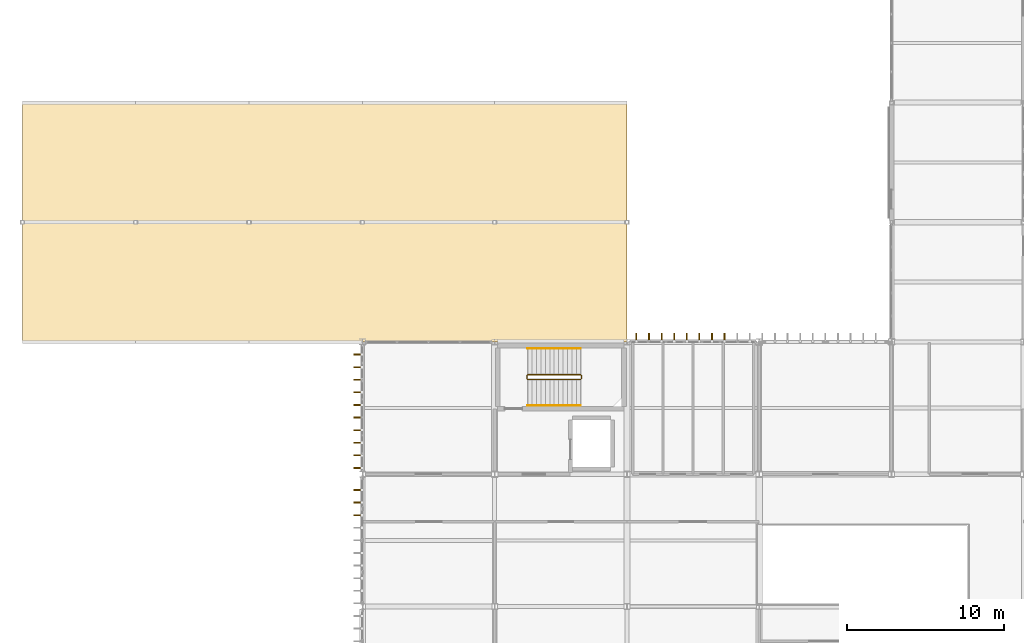
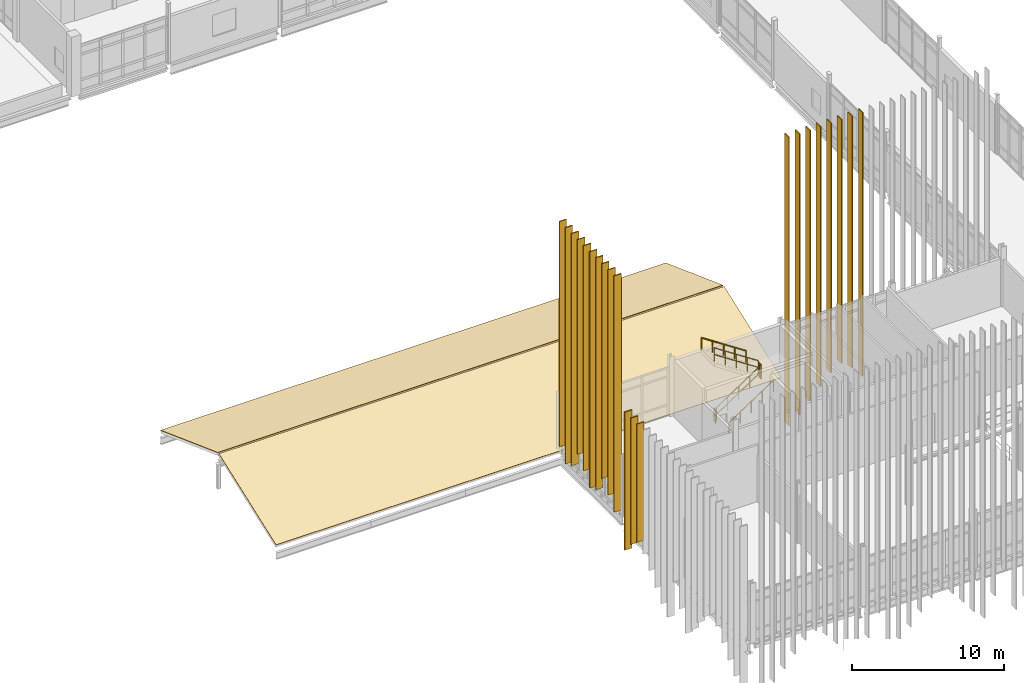
# One storey, part 139 of 153: 23 coverings, 6 railings, 2 elements without a shape of their own.
"""IFC4 building model written with IfcOpenShell, lengths in metres."""

from ifc_helpers import new_model, si_unit, direction, frame, origin, origin_2d, place, context, subcontext, project, spatial, polyline, rectangle, circle, outline, extrude, material, layer, layer_set, type_object, element, aggregate, save


model = new_model("IFC4")

# Units and contexts
model_context = context("Model", 3, precision=1e-05, world=origin(), true_north=direction((0.0, 1.0)))
body_context = subcontext(model_context, "Body", "Model", "MODEL_VIEW")
ifc_project = project(units=[si_unit("LENGTHUNIT", "METRE"), si_unit("AREAUNIT", "SQUARE_METRE"), si_unit("VOLUMEUNIT", "CUBIC_METRE"), si_unit("PLANEANGLEUNIT", "RADIAN"), si_unit("MASSUNIT", "GRAM", prefix="KILO")], contexts=[model_context])

# Site, building, storey
site_placement = place(None, origin())
site = spatial("IfcSite", under=ifc_project, at=site_placement, CompositionType="ELEMENT")
building_placement = place(site_placement, origin())
building = spatial("IfcBuilding", under=site, at=building_placement, Name="Calvrana Isthmian Art Gallery", CompositionType="ELEMENT")
storey_placement = place(building_placement, frame((0.0, 0.0, 10.199951171875)))
storey = spatial("IfcBuildingStorey", under=building, at=storey_placement, Name="L02", CompositionType="ELEMENT", Elevation=10.199951171875)

# Coverings
ifc_material_1 = material(Name="Anodized bronze aluminium 6063-T6", Category="aluminium")
ifc_layer_1 = layer(ifc_material_1, 0.074951171875, Name="Anodized bronze aluminium 6063-T6")
ifc_layer_set_1 = layer_set([ifc_layer_1], Name="Anodized bronze aluminium 6063-T6")
covering_type_1 = type_object("IfcCoveringType", Name="COV-FIN-550", PredefinedType="CLADDING", material=ifc_layer_set_1)
covering_1_placement = place(storey_placement, frame((39.0, 47.072998046875, -4.0498046875), z_axis=(0.0, 0.0, 1.0), x_axis=(1.0, 0.0, 0.0)))
element("IfcCovering", 1, at=covering_1_placement, inside=storey, type_object=covering_type_1, Name="Anodized bronze vertical solar fin FN-073", PredefinedType="CLADDING", context=body_context, shape_type="SweptSolid", body=[
    extrude(rectangle(XDim=0.074951171875, YDim=0.550048828125, at=origin_2d()), origin(), (0.0, 0.0, 1.0), 23.199951171875),
])
covering_2_placement = place(storey_placement, frame((39.800048828125, 47.072998046875, -3.449951171875), z_axis=(0.0, 0.0, 1.0), x_axis=(1.0, 0.0, 0.0)))
element("IfcCovering", 2, at=covering_2_placement, inside=storey, type_object=covering_type_1, Name="Anodized bronze vertical solar fin FN-074", PredefinedType="CLADDING", context=body_context, shape_type="SweptSolid", body=[
    extrude(rectangle(XDim=0.074951171875, YDim=0.550048828125, at=origin_2d()), origin(), (0.0, 0.0, 1.0), 22.60009765625),
])
covering_3_placement = place(storey_placement, frame((40.60009765625, 47.072998046875, -2.64990234375), z_axis=(0.0, 0.0, 1.0), x_axis=(1.0, 0.0, 0.0)))
element("IfcCovering", 3, at=covering_3_placement, inside=storey, type_object=covering_type_1, Name="Anodized bronze vertical solar fin FN-075", PredefinedType="CLADDING", context=body_context, shape_type="SweptSolid", body=[
    extrude(rectangle(XDim=0.074951171875, YDim=0.550048828125, at=origin_2d()), origin(), (0.0, 0.0, 1.0), 21.800048828125),
])
covering_4_placement = place(storey_placement, frame((41.39990234375, 47.072998046875, -1.75), z_axis=(0.0, 0.0, 1.0), x_axis=(1.0, 0.0, 0.0)))
element("IfcCovering", 4, at=covering_4_placement, inside=storey, type_object=covering_type_1, Name="Anodized bronze vertical solar fin FN-076", PredefinedType="CLADDING", context=body_context, shape_type="SweptSolid", body=[
    extrude(rectangle(XDim=0.074951171875, YDim=0.550048828125, at=origin_2d()), origin(), (0.0, 0.0, 1.0), 20.89990234375),
])
covering_5_placement = place(storey_placement, frame((42.199951171875, 47.072998046875, -0.89990234375), z_axis=(0.0, 0.0, 1.0), x_axis=(1.0, 0.0, 0.0)))
element("IfcCovering", 5, at=covering_5_placement, inside=storey, type_object=covering_type_1, Name="Anodized bronze vertical solar fin FN-077", PredefinedType="CLADDING", context=body_context, shape_type="SweptSolid", body=[
    extrude(rectangle(XDim=0.074951171875, YDim=0.550048828125, at=origin_2d()), origin(), (0.0, 0.0, 1.0), 20.050048828125),
])
covering_6_placement = place(storey_placement, frame((43.0, 47.072998046875, -0.449951171875), z_axis=(0.0, 0.0, 1.0), x_axis=(1.0, 0.0, 0.0)))
element("IfcCovering", 6, at=covering_6_placement, inside=storey, type_object=covering_type_1, Name="Anodized bronze vertical solar fin FN-078", PredefinedType="CLADDING", context=body_context, shape_type="SweptSolid", body=[
    extrude(rectangle(XDim=0.074951171875, YDim=0.550048828125, at=origin_2d()), origin(), (0.0, 0.0, 1.0), 19.60009765625),
])
covering_7_placement = place(storey_placement, frame((43.800048828125, 47.072998046875, -1.099853515625), z_axis=(0.0, 0.0, 1.0), x_axis=(1.0, 0.0, 0.0)))
element("IfcCovering", 7, at=covering_7_placement, inside=storey, type_object=covering_type_1, Name="Anodized bronze vertical solar fin FN-079", PredefinedType="CLADDING", context=body_context, shape_type="SweptSolid", body=[
    extrude(rectangle(XDim=0.074951171875, YDim=0.550048828125, at=origin_2d()), origin(), (0.0, 0.0, 1.0), 20.25),
])
covering_8_placement = place(storey_placement, frame((44.60009765625, 47.072998046875, -2.0498046875), z_axis=(0.0, 0.0, 1.0), x_axis=(1.0, 0.0, 0.0)))
element("IfcCovering", 8, at=covering_8_placement, inside=storey, type_object=covering_type_1, Name="Anodized bronze vertical solar fin FN-080", PredefinedType="CLADDING", context=body_context, shape_type="SweptSolid", body=[
    extrude(rectangle(XDim=0.074951171875, YDim=0.550048828125, at=origin_2d()), origin(), (0.0, 0.0, 1.0), 21.199951171875),
])
covering_9_placement = place(storey_placement, frame((21.326904296875, 38.800048828125, 0.150146484375), z_axis=(0.0, 0.0, 1.0), x_axis=(1.0, 0.0, 0.0)))
element("IfcCovering", 9, at=covering_9_placement, inside=storey, type_object=covering_type_1, Name="Anodized bronze vertical solar fin FN-163", PredefinedType="CLADDING", context=body_context, shape_type="SweptSolid", body=[
    extrude(rectangle(XDim=0.550048828125, YDim=0.074951171875, at=origin_2d()), origin(), (0.0, 0.0, 1.0), 19.0),
])
covering_10_placement = place(storey_placement, frame((21.326904296875, 39.60009765625, 1.050048828125), z_axis=(0.0, 0.0, 1.0), x_axis=(1.0, 0.0, 0.0)))
element("IfcCovering", 10, at=covering_10_placement, inside=storey, type_object=covering_type_1, Name="Anodized bronze vertical solar fin FN-164", PredefinedType="CLADDING", context=body_context, shape_type="SweptSolid", body=[
    extrude(rectangle(XDim=0.550048828125, YDim=0.074951171875, at=origin_2d()), origin(), (0.0, 0.0, 1.0), 18.10009765625),
])
covering_11_placement = place(storey_placement, frame((21.326904296875, 40.39990234375, 1.900146484375), z_axis=(0.0, 0.0, 1.0), x_axis=(1.0, 0.0, 0.0)))
element("IfcCovering", 11, at=covering_11_placement, inside=storey, type_object=covering_type_1, Name="Anodized bronze vertical solar fin FN-165", PredefinedType="CLADDING", context=body_context, shape_type="SweptSolid", body=[
    extrude(rectangle(XDim=0.550048828125, YDim=0.074951171875, at=origin_2d()), origin(), (0.0, 0.0, 1.0), 17.25),
])
covering_12_placement = place(storey_placement, frame((21.326904296875, 41.199951171875, 0.5), z_axis=(0.0, 0.0, 1.0), x_axis=(1.0, 0.0, 0.0)))
element("IfcCovering", 12, at=covering_12_placement, inside=storey, type_object=covering_type_1, Name="Anodized bronze vertical solar fin FN-166", PredefinedType="CLADDING", context=body_context, shape_type="SweptSolid", body=[
    extrude(rectangle(XDim=0.550048828125, YDim=0.074951171875, at=origin_2d()), origin(), (0.0, 0.0, 1.0), 18.64990234375),
])
covering_13_placement = place(storey_placement, frame((21.326904296875, 42.0, 0.150146484375), z_axis=(0.0, 0.0, 1.0), x_axis=(1.0, 0.0, 0.0)))
element("IfcCovering", 13, at=covering_13_placement, inside=storey, type_object=covering_type_1, Name="Anodized bronze vertical solar fin FN-167", PredefinedType="CLADDING", context=body_context, shape_type="SweptSolid", body=[
    extrude(rectangle(XDim=0.550048828125, YDim=0.074951171875, at=origin_2d()), origin(), (0.0, 0.0, 1.0), 19.0),
])
covering_14_placement = place(storey_placement, frame((21.326904296875, 42.800048828125, 1.050048828125), z_axis=(0.0, 0.0, 1.0), x_axis=(1.0, 0.0, 0.0)))
element("IfcCovering", 14, at=covering_14_placement, inside=storey, type_object=covering_type_1, Name="Anodized bronze vertical solar fin FN-168", PredefinedType="CLADDING", context=body_context, shape_type="SweptSolid", body=[
    extrude(rectangle(XDim=0.550048828125, YDim=0.074951171875, at=origin_2d()), origin(), (0.0, 0.0, 1.0), 18.10009765625),
])
covering_15_placement = place(storey_placement, frame((21.326904296875, 43.60009765625, 1.900146484375), z_axis=(0.0, 0.0, 1.0), x_axis=(1.0, 0.0, 0.0)))
element("IfcCovering", 15, at=covering_15_placement, inside=storey, type_object=covering_type_1, Name="Anodized bronze vertical solar fin FN-169", PredefinedType="CLADDING", context=body_context, shape_type="SweptSolid", body=[
    extrude(rectangle(XDim=0.550048828125, YDim=0.074951171875, at=origin_2d()), origin(), (0.0, 0.0, 1.0), 17.25),
])
covering_16_placement = place(storey_placement, frame((21.326904296875, 44.39990234375, 0.5), z_axis=(0.0, 0.0, 1.0), x_axis=(1.0, 0.0, 0.0)))
element("IfcCovering", 16, at=covering_16_placement, inside=storey, type_object=covering_type_1, Name="Anodized bronze vertical solar fin FN-170", PredefinedType="CLADDING", context=body_context, shape_type="SweptSolid", body=[
    extrude(rectangle(XDim=0.550048828125, YDim=0.074951171875, at=origin_2d()), origin(), (0.0, 0.0, 1.0), 18.64990234375),
])
covering_17_placement = place(storey_placement, frame((21.326904296875, 45.199951171875, 0.150146484375), z_axis=(0.0, 0.0, 1.0), x_axis=(1.0, 0.0, 0.0)))
element("IfcCovering", 17, at=covering_17_placement, inside=storey, type_object=covering_type_1, Name="Anodized bronze vertical solar fin FN-171", PredefinedType="CLADDING", context=body_context, shape_type="SweptSolid", body=[
    extrude(rectangle(XDim=0.550048828125, YDim=0.074951171875, at=origin_2d()), origin(), (0.0, 0.0, 1.0), 19.0),
])
covering_18_placement = place(storey_placement, frame((21.326904296875, 46.0, 1.050048828125), z_axis=(0.0, 0.0, 1.0), x_axis=(1.0, 0.0, 0.0)))
element("IfcCovering", 18, at=covering_18_placement, inside=storey, type_object=covering_type_1, Name="Anodized bronze vertical solar fin FN-172", PredefinedType="CLADDING", context=body_context, shape_type="SweptSolid", body=[
    extrude(rectangle(XDim=0.550048828125, YDim=0.074951171875, at=origin_2d()), origin(), (0.0, 0.0, 1.0), 18.10009765625),
])
covering_19_placement = place(storey_placement, frame((21.326904296875, 35.800048828125, -0.449951171875), z_axis=(0.0, 0.0, 1.0), x_axis=(1.0, 0.0, 0.0)))
element("IfcCovering", 19, at=covering_19_placement, inside=storey, type_object=covering_type_1, Name="Anodized bronze vertical solar fin FN-190", PredefinedType="CLADDING", context=body_context, shape_type="SweptSolid", body=[
    extrude(rectangle(XDim=0.550048828125, YDim=0.074951171875, at=origin_2d()), origin(), (0.0, 0.0, 1.0), 9.5),
])
covering_20_placement = place(storey_placement, frame((21.326904296875, 36.60009765625, -1.099853515625), z_axis=(0.0, 0.0, 1.0), x_axis=(1.0, 0.0, 0.0)))
element("IfcCovering", 20, at=covering_20_placement, inside=storey, type_object=covering_type_1, Name="Anodized bronze vertical solar fin FN-191", PredefinedType="CLADDING", context=body_context, shape_type="SweptSolid", body=[
    extrude(rectangle(XDim=0.550048828125, YDim=0.074951171875, at=origin_2d()), origin(), (0.0, 0.0, 1.0), 10.14990234375),
])
covering_21_placement = place(storey_placement, frame((21.326904296875, 37.39990234375, -2.050048828125), z_axis=(0.0, 0.0, 1.0), x_axis=(1.0, 0.0, 0.0)))
element("IfcCovering", 21, at=covering_21_placement, inside=storey, type_object=covering_type_1, Name="Anodized bronze vertical solar fin FN-192", PredefinedType="CLADDING", context=body_context, shape_type="SweptSolid", body=[
    extrude(rectangle(XDim=0.550048828125, YDim=0.074951171875, at=origin_2d()), origin(), (0.0, 0.0, 1.0), 11.10009765625),
])

# Roof, covering
ifc_material_2 = material(Name="Standing-seam zinc-aluminium roofing", Category="aluminium")
ifc_layer_2 = layer(ifc_material_2, 0.199951171875, Name="Standing-seam zinc-aluminium roofing")
ifc_layer_set_2 = layer_set([ifc_layer_2], Name="Standing-seam zinc-aluminium roofing")
roof_type = type_object("IfcRoofType", Name="ROOF-ASM-GABLE", PredefinedType="GABLE_ROOF", material=ifc_layer_set_2)
roof_1_placement = place(storey_placement, origin())
roof_1 = element("IfcRoof", 22, at=roof_1_placement, inside=storey, type_object=roof_type, Name="Roof assembly SROOF_V3_S", PredefinedType="GABLE_ROOF")
ifc_layer_3 = layer(ifc_material_2, 0.0400390625, Name="Standing-seam zinc-aluminium roofing")
ifc_layer_set_3 = layer_set([ifc_layer_3], Name="Standing-seam zinc-aluminium roofing")
covering_type_2 = type_object("IfcCoveringType", Name="COV-SLROOF-ZINC", PredefinedType="ROOFING", material=ifc_layer_set_3)
covering_22_placement = place(storey_placement, frame((0.0, 46.800048828125, 0.0400390625), z_axis=(0.0, -0.345702535357, 0.938344157038), x_axis=(1.0, 0.0, 0.0)))
covering_22 = element("IfcCovering", 23, at=covering_22_placement, type_object=covering_type_2, Name="Standing-seam roof covering SROOF_V3_S", PredefinedType="ROOFING", context=body_context, shape_type="SweptSolid", body=[
    extrude(outline(polyline([(0.0, 0.0), (38.39990234375, 0.0), (38.39990234375, 8.014137962969256), (0.0, 8.014137962969256), (0.0, 0.0)])), origin(), (0.0, 0.0, -1.0), 0.0400390625),
])
aggregate(roof_1, [covering_22])

roof_2_placement = place(storey_placement, origin())
roof_2 = element("IfcRoof", 24, at=roof_2_placement, inside=storey, type_object=roof_type, Name="Roof assembly SROOF_V3_N", PredefinedType="GABLE_ROOF")
covering_23_placement = place(storey_placement, frame((0.0, 54.47998046875, 2.810546875), z_axis=(0.0, 0.345702535357, 0.938344157038), x_axis=(1.0, 0.0, 0.0)))
covering_23 = element("IfcCovering", 25, at=covering_23_placement, type_object=covering_type_2, Name="Standing-seam roof covering SROOF_V3_N", PredefinedType="ROOFING", context=body_context, shape_type="SweptSolid", body=[
    extrude(outline(polyline([(0.0, 0.0), (38.39990234375, 0.0), (38.39990234375, 8.014137962969256), (0.0, 8.014137962969256), (0.0, 0.0)])), origin(), (0.0, 0.0, -1.0), 0.0400390625),
])
aggregate(roof_2, [covering_23])

# Railings
ifc_material_3 = material(Name="Stainless steel 316", Category="steel")
railing_type_1 = type_object("IfcRailingType", Name="RL-GUARD-1120", PredefinedType="BALUSTRADE", material=ifc_material_3)
railing_1_placement = place(storey_placement, frame((32.10009765625, 44.419921875, 0.1845703125)))
element("IfcRailing", 26, at=railing_1_placement, inside=storey, type_object=railing_type_1, Name="Stair ST-1 guard L02-1", PredefinedType="BALUSTRADE", context=body_context, shape_type="SweptSolid", body=[
    extrude(circle(Radius=0.02392578125, at=origin_2d()), frame((0.0, 0.0, 1.09619140625), z_axis=(0.83483021737, 0.0, 0.550507500554), x_axis=(0.0, 1.0, 0.0)), (0.0, 0.0, 1.0), 4.024658203125),
    extrude(circle(Radius=0.02392578125, at=origin_2d()), frame((0.0, 0.0, 0.56005859375), z_axis=(0.83483021737, 0.0, 0.550507500554), x_axis=(0.0, 1.0, 0.0)), (0.0, 0.0, 1.0), 4.024658203125),
    extrude(circle(Radius=0.02099609375, at=origin_2d()), origin(), (0.0, 0.0, 1.0), 1.072021484375),
    extrude(circle(Radius=0.02099609375, at=origin_2d()), frame((0.83984375, 0.0, 0.553955078125)), (0.0, 0.0, 1.0), 1.072021484375),
    extrude(circle(Radius=0.02099609375, at=origin_2d()), frame((1.679931640625, 0.0, 1.10791015625)), (0.0, 0.0, 1.0), 1.072021484375),
    extrude(circle(Radius=0.02099609375, at=origin_2d()), frame((2.52001953125, 0.0, 1.66162109375)), (0.0, 0.0, 1.0), 1.072021484375),
    extrude(circle(Radius=0.02099609375, at=origin_2d()), frame((3.35986328125, 0.0, 2.215576171875)), (0.0, 0.0, 1.0), 1.072021484375),
])
railing_2_placement = place(storey_placement, frame((35.510009765625, 44.469970703125, 2.400146484375)))
element("IfcRailing", 27, at=railing_2_placement, inside=storey, type_object=railing_type_1, Name="Stair ST-1 guard L02-2", PredefinedType="BALUSTRADE", context=body_context, shape_type="SweptSolid", body=[
    extrude(circle(Radius=0.02392578125, at=origin_2d()), frame((0.0, 0.0, 1.09619140625), z_axis=(0.0, 1.0, 0.0), x_axis=(-1.0, 0.0, 0.0)), (0.0, 0.0, 1.0), 0.199951171875),
    extrude(circle(Radius=0.02392578125, at=origin_2d()), frame((0.0, 0.0, 0.56005859375), z_axis=(0.0, 1.0, 0.0), x_axis=(-1.0, 0.0, 0.0)), (0.0, 0.0, 1.0), 0.199951171875),
    extrude(circle(Radius=0.02099609375, at=origin_2d()), origin(), (0.0, 0.0, 1.0), 1.072021484375),
    extrude(circle(Radius=0.02099609375, at=origin_2d()), frame((0.0, 0.199951171875, 0.0)), (0.0, 0.0, 1.0), 1.072021484375),
])
railing_3_placement = place(storey_placement, frame((35.4599609375, 44.719970703125, 2.584716796875)))
element("IfcRailing", 28, at=railing_3_placement, inside=storey, type_object=railing_type_1, Name="Stair ST-1 guard L02-3", PredefinedType="BALUSTRADE", context=body_context, shape_type="SweptSolid", body=[
    extrude(circle(Radius=0.02392578125, at=origin_2d()), frame((0.0, 0.0, 1.09619140625), z_axis=(-0.834858096282, 0.0, 0.550465220583), x_axis=(0.0, -1.0, 0.0)), (0.0, 0.0, 1.0), 4.0244140625),
    extrude(circle(Radius=0.02392578125, at=origin_2d()), frame((0.0, 0.0, 0.56005859375), z_axis=(-0.834858096282, 0.0, 0.550465220583), x_axis=(0.0, -1.0, 0.0)), (0.0, 0.0, 1.0), 4.0244140625),
    extrude(circle(Radius=0.02099609375, at=origin_2d()), origin(), (0.0, 0.0, 1.0), 1.072021484375),
    extrude(circle(Radius=0.02099609375, at=origin_2d()), frame((-0.83984375, 0.0, 0.5537109375)), (0.0, 0.0, 1.0), 1.072021484375),
    extrude(circle(Radius=0.02099609375, at=origin_2d()), frame((-1.679931640625, 0.0, 1.107666015625)), (0.0, 0.0, 1.0), 1.072021484375),
    extrude(circle(Radius=0.02099609375, at=origin_2d()), frame((-2.52001953125, 0.0, 1.66162109375)), (0.0, 0.0, 1.0), 1.072021484375),
    extrude(circle(Radius=0.02099609375, at=origin_2d()), frame((-3.35986328125, 0.0, 2.21533203125)), (0.0, 0.0, 1.0), 1.072021484375),
])
railing_4_placement = place(storey_placement, frame((32.050048828125, 44.469970703125, 0.0)))
element("IfcRailing", 29, at=railing_4_placement, inside=storey, type_object=railing_type_1, Name="Stair ST-1 guard L02-4", PredefinedType="BALUSTRADE", context=body_context, shape_type="SweptSolid", body=[
    extrude(circle(Radius=0.02392578125, at=origin_2d()), frame((0.0, 0.0, 1.09619140625), z_axis=(0.0, 1.0, 0.0), x_axis=(-1.0, 0.0, 0.0)), (0.0, 0.0, 1.0), 0.199951171875),
    extrude(circle(Radius=0.02392578125, at=origin_2d()), frame((0.0, 0.0, 0.56005859375), z_axis=(0.0, 1.0, 0.0), x_axis=(-1.0, 0.0, 0.0)), (0.0, 0.0, 1.0), 0.199951171875),
    extrude(circle(Radius=0.02099609375, at=origin_2d()), origin(), (0.0, 0.0, 1.0), 1.072021484375),
    extrude(circle(Radius=0.02099609375, at=origin_2d()), frame((0.0, 0.199951171875, 0.0)), (0.0, 0.0, 1.0), 1.072021484375),
])
railing_type_2 = type_object("IfcRailingType", Name="RL-HAND-920", PredefinedType="HANDRAIL", material=ifc_material_3)
railing_5_placement = place(storey_placement, frame((32.10009765625, 42.760009765625, 0.1845703125)))
element("IfcRailing", 30, at=railing_5_placement, inside=storey, type_object=railing_type_2, Name="Stair ST-1 handrail L02-1", PredefinedType="HANDRAIL", context=body_context, shape_type="SweptSolid", body=[
    extrude(circle(Radius=0.02392578125, at=origin_2d()), frame((0.0, 0.0, 0.89599609375), z_axis=(0.83483021737, 0.0, 0.550507500554), x_axis=(0.0, 1.0, 0.0)), (0.0, 0.0, 1.0), 4.024658203125),
    extrude(circle(Radius=0.02099609375, at=origin_2d()), origin(), (0.0, 0.0, 1.0), 0.871826171875),
    extrude(circle(Radius=0.02099609375, at=origin_2d()), frame((0.83984375, 0.0, 0.553955078125)), (0.0, 0.0, 1.0), 0.871826171875),
    extrude(circle(Radius=0.02099609375, at=origin_2d()), frame((1.679931640625, 0.0, 1.10791015625)), (0.0, 0.0, 1.0), 0.871826171875),
    extrude(circle(Radius=0.02099609375, at=origin_2d()), frame((2.52001953125, 0.0, 1.66162109375)), (0.0, 0.0, 1.0), 0.871826171875),
    extrude(circle(Radius=0.02099609375, at=origin_2d()), frame((3.35986328125, 0.0, 2.215576171875)), (0.0, 0.0, 1.0), 0.871826171875),
])
railing_6_placement = place(storey_placement, frame((35.4599609375, 46.3798828125, 2.584716796875)))
element("IfcRailing", 31, at=railing_6_placement, inside=storey, type_object=railing_type_2, Name="Stair ST-1 handrail L02-2", PredefinedType="HANDRAIL", context=body_context, shape_type="SweptSolid", body=[
    extrude(circle(Radius=0.02392578125, at=origin_2d()), frame((0.0, 0.0, 0.89599609375), z_axis=(-0.834858096282, 0.0, 0.550465220583), x_axis=(0.0, -1.0, 0.0)), (0.0, 0.0, 1.0), 4.0244140625),
    extrude(circle(Radius=0.02099609375, at=origin_2d()), origin(), (0.0, 0.0, 1.0), 0.871826171875),
    extrude(circle(Radius=0.02099609375, at=origin_2d()), frame((-0.83984375, 0.0, 0.5537109375)), (0.0, 0.0, 1.0), 0.871826171875),
    extrude(circle(Radius=0.02099609375, at=origin_2d()), frame((-1.679931640625, 0.0, 1.107666015625)), (0.0, 0.0, 1.0), 0.871826171875),
    extrude(circle(Radius=0.02099609375, at=origin_2d()), frame((-2.52001953125, 0.0, 1.66162109375)), (0.0, 0.0, 1.0), 0.871826171875),
    extrude(circle(Radius=0.02099609375, at=origin_2d()), frame((-3.35986328125, 0.0, 2.21533203125)), (0.0, 0.0, 1.0), 0.871826171875),
])

save(model, "model.ifc")
